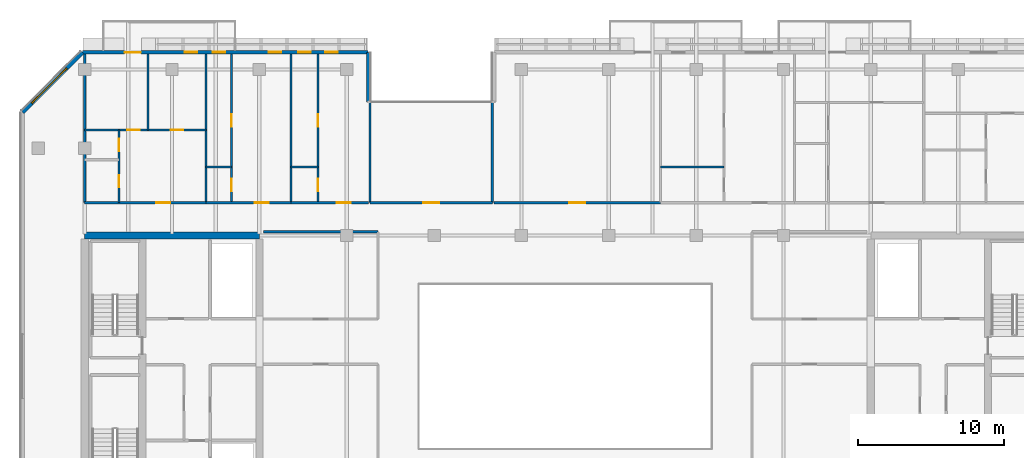
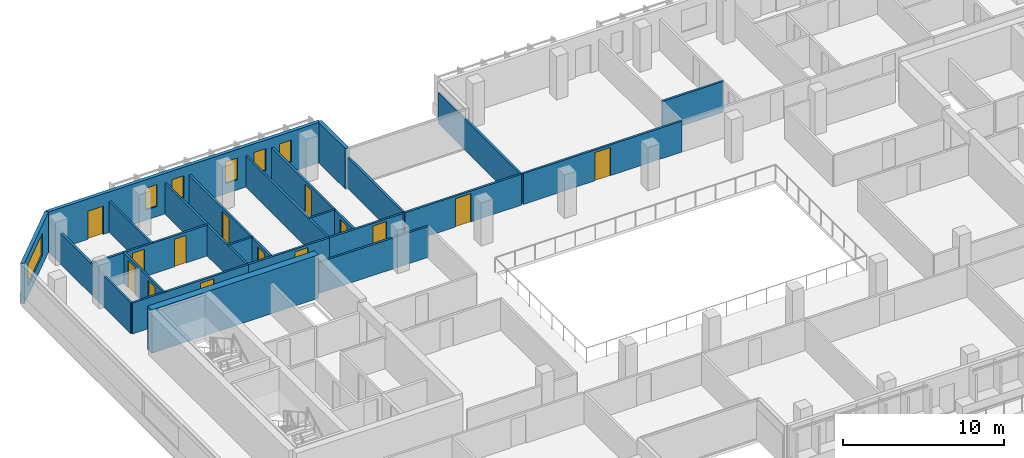
# One storey, part 11 of 19: 23 walls, 14 doors, 6 windows, 20 openings.
"""IFC4 building model written with IfcOpenShell, lengths in metres."""

from ifc_helpers import new_model, si_unit, direction, frame, frame_2d, origin, place, context, subcontext, project, spatial, rectangle, extrude, material, layer, layer_set, type_object, element, fill, save


model = new_model("IFC4")

# Units and contexts
model_context = context("Model", 3, precision=1e-05, world=origin(), true_north=direction((0.0, 1.0)))
body_context = subcontext(model_context, "Body", "Model", "MODEL_VIEW")
ifc_project = project(units=[si_unit("LENGTHUNIT", "METRE"), si_unit("AREAUNIT", "SQUARE_METRE"), si_unit("VOLUMEUNIT", "CUBIC_METRE"), si_unit("PLANEANGLEUNIT", "RADIAN"), si_unit("MASSUNIT", "GRAM", prefix="KILO")], contexts=[model_context])

# Site, building, storey
site_placement = place(None, origin())
site = spatial("IfcSite", under=ifc_project, at=site_placement, CompositionType="ELEMENT")
building_placement = place(site_placement, origin())
building = spatial("IfcBuilding", under=site, at=building_placement, Name="Tanjung Sevakor Pilgrim Tower", CompositionType="ELEMENT")
storey_placement = place(building_placement, frame((0.0, 0.0, 155.10009765625)))
storey = spatial("IfcBuildingStorey", under=building, at=storey_placement, Name="L43", CompositionType="ELEMENT", Elevation=155.10009765625)

# Walls
ifc_material_1 = material(Name="Concrete C60/75", Category="concrete")
ifc_layer_1 = layer(ifc_material_1, 0.5)
ifc_layer_set_1 = layer_set([ifc_layer_1], Name="WALL-CW-500")
wall_type_1 = type_object("IfcWallType", Name="WALL-CW-500", PredefinedType="SHEAR", material=ifc_layer_set_1)
wall_1_placement = place(storey_placement, frame((36.0, 42.60009765625, 0.0), z_axis=(0.0, 0.0, 1.0), x_axis=(-1.0, 0.0, 0.0)))
element("IfcWall", 1, at=wall_1_placement, inside=storey, type_object=wall_type_1, Name="L43 W Core North Shear Wall", PredefinedType="SHEAR", context=body_context, shape_type="SweptSolid", body=[
    extrude(rectangle(XDim=12.0, YDim=0.5, at=frame_2d((6.0, 0.0))), origin(), (0.0, 0.0, 1.0), 3.2998046875),
])
ifc_material_2 = material(Name="Concrete C40/50", Category="concrete")
ifc_layer_2 = layer(ifc_material_2, 0.14990234375)
ifc_layer_set_2 = layer_set([ifc_layer_2], Name="WT-COMP-150")
wall_type_2 = type_object("IfcWallType", Name="WT-COMP-150", PredefinedType="SOLIDWALL", material=ifc_layer_set_2)
wall_2_placement = place(storey_placement, frame((36.27001953125, 42.85009765625, 0.0), z_axis=(0.0, 0.0, 1.0), x_axis=(1.0, 0.0, 0.0)))
element("IfcWall", 2, at=wall_2_placement, inside=storey, type_object=wall_type_2, Name="L43 Partition IW-L43-023", PredefinedType="SOLIDWALL", context=body_context, shape_type="SweptSolid", body=[
    extrude(rectangle(XDim=7.8798828125, YDim=0.14990234375, at=frame_2d((3.93994140625, 0.0))), origin(), (0.0, 0.0, 1.0), 2.35009765625),
])

# Wall, opening, door
wall_3_placement = place(storey_placement, frame((43.60009765625, 44.85009765625, 0.0), z_axis=(0.0, 0.0, 1.0), x_axis=(1.0, 0.0, 0.0)))
wall_3 = element("IfcWall", 3, at=wall_3_placement, inside=storey, type_object=wall_type_2, Name="L43 Partition IW-L43-034", PredefinedType="SOLIDWALL", context=body_context, shape_type="SweptSolid", body=[
    extrude(rectangle(XDim=8.39990234375, YDim=0.14990234375, at=frame_2d((4.199951171875, 0.0))), origin(), (0.0, 0.0, 1.0), 2.35009765625),
])
opening_1_placement = place(wall_3_placement, frame((3.64990234375, 0.0, 0.0)))
opening_1 = element("IfcOpeningElement", 4, at=opening_1_placement, cuts=wall_3, Name="Opening ID-RM2", PredefinedType="OPENING", context=body_context, shape_type="SweptSolid", body=[
    extrude(rectangle(XDim=1.10009765625, YDim=2.14990234375, at=frame_2d((0.550048828125, 1.074951171875))), frame((0.0, 0.0849609375, 0.0), z_axis=(0.0, -1.0, 0.0), x_axis=(1.0, 0.0, 0.0)), (0.0, 0.0, 1.0), 0.169921875),
])
ifc_material_3 = material(Name="Hardwood Timber", Category="wood")
door_type_1 = type_object("IfcDoorType", Name="DT-INT-1100", OperationType="NOTDEFINED", PredefinedType="DOOR", material=ifc_material_3)
door_1_placement = place(opening_1_placement, origin())
door_1 = element("IfcDoor", 5, at=door_1_placement, inside=storey, type_object=door_type_1, Name="L43 North Cleft Prayer Room Door", OperationType="SINGLE_SWING_LEFT", OverallHeight=2.14990234375, OverallWidth=1.10009765625, PredefinedType="DOOR", context=body_context, shape_type="SweptSolid", body=[
    extrude(rectangle(XDim=1.10009765625, YDim=2.14990234375, at=frame_2d((0.550048828125, 1.074951171875))), frame((0.0, 0.02490234375, 0.0), z_axis=(0.0, -1.0, 0.0), x_axis=(1.0, 0.0, 0.0)), (0.0, 0.0, 1.0), 0.050048828125),
])
fill(opening_1, door_1)

# Walls
for number, where, z_axis, x_axis, name in (
    (6, (43.60009765625, 44.85009765625, 0.0), (0.0, 0.0, 1.0), (0.0, 1.0, 0.0), "L43 Partition IW-L43-035"),
    (7, (52.0, 44.85009765625, 0.0), (0.0, 0.0, 1.0), (0.0, 1.0, 0.0), "L43 Partition IW-L43-036"),
    (8, (24.0, 44.85009765625, 0.0), (0.0, 0.0, 1.0), (0.0, 1.0, 0.0), "L43 Partition IW-L43-053"),
    (9, (32.341796875, 44.85009765625, 0.0), (0.0, 0.0, 1.0), (0.0, 1.0, 0.0), "L43 Partition IW-L43-054"),
):
    element("IfcWall", number, at=place(storey_placement, frame(where, z_axis=z_axis, x_axis=x_axis)), inside=storey, type_object=wall_type_2, Name=name, PredefinedType="SOLIDWALL", context=body_context, shape_type="SweptSolid", body=[
        extrude(rectangle(XDim=10.199951171875, YDim=0.14990234375, at=frame_2d((5.10009765625, 0.0))), origin(), (0.0, 0.0, 1.0), 2.35009765625),
    ])

# Wall, opening, door
wall_4_placement = place(storey_placement, frame((24.0, 44.85009765625, 0.0), z_axis=(0.0, 0.0, 1.0), x_axis=(1.0, 0.0, 0.0)))
wall_4 = element("IfcWall", 10, at=wall_4_placement, inside=storey, type_object=wall_type_2, Name="L43 Partition IW-L43-059", PredefinedType="SOLIDWALL", context=body_context, shape_type="SweptSolid", body=[
    extrude(rectangle(XDim=8.341796875, YDim=0.14990234375, at=frame_2d((4.1708984375, 0.0))), origin(), (0.0, 0.0, 1.0), 2.35009765625),
])
opening_2_placement = place(wall_4_placement, frame((4.910888671875, 0.0, 0.0)))
opening_2 = element("IfcOpeningElement", 11, at=opening_2_placement, cuts=wall_4, Name="Opening ID-FD2", PredefinedType="OPENING", context=body_context, shape_type="SweptSolid", body=[
    extrude(rectangle(XDim=0.949951171875, YDim=2.14990234375, at=frame_2d((0.47509765625, 1.074951171875))), frame((0.0, 0.0849609375, 0.0), z_axis=(0.0, -1.0, 0.0), x_axis=(1.0, 0.0, 0.0)), (0.0, 0.0, 1.0), 0.169921875),
])
ifc_material_4 = material(Name="Fire-Rated Timber", Category="wood")
door_type_2 = type_object("IfcDoorType", Name="DT-FIRE-950", OperationType="NOTDEFINED", PredefinedType="DOOR", material=ifc_material_4)
door_2_placement = place(opening_2_placement, origin())
door_2 = element("IfcDoor", 12, at=door_2_placement, inside=storey, type_object=door_type_2, Name="Suite Entrance", OperationType="SINGLE_SWING_RIGHT", OverallHeight=2.14990234375, OverallWidth=0.949951171875, PredefinedType="DOOR", context=body_context, shape_type="SweptSolid", body=[
    extrude(rectangle(XDim=0.949951171875, YDim=2.14990234375, at=frame_2d((0.47509765625, 1.074951171875))), frame((0.0, 0.02490234375, 0.0), z_axis=(0.0, -1.0, 0.0), x_axis=(1.0, 0.0, 0.0)), (0.0, 0.0, 1.0), 0.050048828125),
])
fill(opening_2, door_2)

# Wall
wall_5_placement = place(storey_placement, frame((38.171630859375, 44.85009765625, 0.0), z_axis=(0.0, 0.0, 1.0), x_axis=(0.0, 1.0, 0.0)))
element("IfcWall", 13, at=wall_5_placement, inside=storey, type_object=wall_type_2, Name="L43 Partition IW-L43-060", PredefinedType="SOLIDWALL", context=body_context, shape_type="SweptSolid", body=[
    extrude(rectangle(XDim=10.199951171875, YDim=0.14990234375, at=frame_2d((5.10009765625, 0.0))), origin(), (0.0, 0.0, 1.0), 2.35009765625),
])

# Wall, opening, door
wall_6_placement = place(storey_placement, frame((32.341796875, 44.85009765625, 0.0), z_axis=(0.0, 0.0, 1.0), x_axis=(1.0, 0.0, 0.0)))
wall_6 = element("IfcWall", 14, at=wall_6_placement, inside=storey, type_object=wall_type_2, Name="L43 Partition IW-L43-063", PredefinedType="SOLIDWALL", context=body_context, shape_type="SweptSolid", body=[
    extrude(rectangle(XDim=5.829833984375, YDim=0.14990234375, at=frame_2d((2.9150390625, 0.0))), origin(), (0.0, 0.0, 1.0), 2.35009765625),
])
opening_3_placement = place(wall_6_placement, frame((3.34912109375, 0.0, 0.0)))
opening_3 = element("IfcOpeningElement", 15, at=opening_3_placement, cuts=wall_6, Name="Opening ID-FD2", PredefinedType="OPENING", context=body_context, shape_type="SweptSolid", body=[
    extrude(rectangle(XDim=0.949951171875, YDim=2.14990234375, at=frame_2d((0.47509765625, 1.074951171875))), frame((0.0, 0.0849609375, 0.0), z_axis=(0.0, -1.0, 0.0), x_axis=(1.0, 0.0, 0.0)), (0.0, 0.0, 1.0), 0.169921875),
])
door_3_placement = place(opening_3_placement, origin())
door_3 = element("IfcDoor", 16, at=door_3_placement, inside=storey, type_object=door_type_2, Name="Hostel Quad Entrance", OperationType="SINGLE_SWING_LEFT", OverallHeight=2.14990234375, OverallWidth=0.949951171875, PredefinedType="DOOR", context=body_context, shape_type="SweptSolid", body=[
    extrude(rectangle(XDim=0.949951171875, YDim=2.14990234375, at=frame_2d((0.47509765625, 1.074951171875))), frame((0.0, 0.02490234375, 0.0), z_axis=(0.0, -1.0, 0.0), x_axis=(1.0, 0.0, 0.0)), (0.0, 0.0, 1.0), 0.050048828125),
])
fill(opening_3, door_3)

wall_7_placement = place(storey_placement, frame((38.171630859375, 44.85009765625, 0.0), z_axis=(0.0, 0.0, 1.0), x_axis=(1.0, 0.0, 0.0)))
wall_7 = element("IfcWall", 17, at=wall_7_placement, inside=storey, type_object=wall_type_2, Name="L43 Partition IW-L43-066", PredefinedType="SOLIDWALL", context=body_context, shape_type="SweptSolid", body=[
    extrude(rectangle(XDim=5.308349609375, YDim=0.14990234375, at=frame_2d((2.654296875, 0.0))), origin(), (0.0, 0.0, 1.0), 2.35009765625),
])
opening_4_placement = place(wall_7_placement, frame((3.144287109375, 0.0, 0.0)))
opening_4 = element("IfcOpeningElement", 18, at=opening_4_placement, cuts=wall_7, Name="Opening ID-FD2", PredefinedType="OPENING", context=body_context, shape_type="SweptSolid", body=[
    extrude(rectangle(XDim=0.949951171875, YDim=2.14990234375, at=frame_2d((0.47509765625, 1.074951171875))), frame((0.0, 0.0849609375, 0.0), z_axis=(0.0, -1.0, 0.0), x_axis=(1.0, 0.0, 0.0)), (0.0, 0.0, 1.0), 0.169921875),
])
door_4_placement = place(opening_4_placement, origin())
door_4 = element("IfcDoor", 19, at=door_4_placement, inside=storey, type_object=door_type_2, Name="Hostel Quad Entrance", OperationType="SINGLE_SWING_RIGHT", OverallHeight=2.14990234375, OverallWidth=0.949951171875, PredefinedType="DOOR", context=body_context, shape_type="SweptSolid", body=[
    extrude(rectangle(XDim=0.949951171875, YDim=2.14990234375, at=frame_2d((0.47509765625, 1.074951171875))), frame((0.0, 0.02490234375, 0.0), z_axis=(0.0, -1.0, 0.0), x_axis=(1.0, 0.0, 0.0)), (0.0, 0.0, 1.0), 0.050048828125),
])
fill(opening_4, door_4)

wall_8_placement = place(storey_placement, frame((52.1201171875, 44.85009765625, 0.0), z_axis=(0.0, 0.0, 1.0), x_axis=(1.0, 0.0, 0.0)))
wall_8 = element("IfcWall", 20, at=wall_8_placement, inside=storey, type_object=wall_type_2, Name="L43 Partition IW-L43-069", PredefinedType="SOLIDWALL", context=body_context, shape_type="SweptSolid", body=[
    extrude(rectangle(XDim=11.42529296875, YDim=0.14990234375, at=frame_2d((5.712646484375, 0.0))), origin(), (0.0, 0.0, 1.0), 2.35009765625),
])
opening_5_placement = place(wall_8_placement, frame((5.16259765625, 0.0, 0.0)))
opening_5 = element("IfcOpeningElement", 21, at=opening_5_placement, cuts=wall_8, Name="Opening ID-FD0", PredefinedType="OPENING", context=body_context, shape_type="SweptSolid", body=[
    extrude(rectangle(XDim=1.10009765625, YDim=2.14990234375, at=frame_2d((0.550048828125, 1.074951171875))), frame((0.0, 0.0849609375, 0.0), z_axis=(0.0, -1.0, 0.0), x_axis=(1.0, 0.0, 0.0)), (0.0, 0.0, 1.0), 0.169921875),
])
ifc_material_5 = material(Name="Fire-Rated Steel S355J2", Category="steel")
door_type_3 = type_object("IfcDoorType", Name="DT-FIRE-1100", OperationType="NOTDEFINED", PredefinedType="DOOR", material=ifc_material_5)
door_5_placement = place(opening_5_placement, origin())
door_5 = element("IfcDoor", 22, at=door_5_placement, inside=storey, type_object=door_type_3, Name="Council Room Door", OperationType="SINGLE_SWING_LEFT", OverallHeight=2.14990234375, OverallWidth=1.10009765625, PredefinedType="DOOR", context=body_context, shape_type="SweptSolid", body=[
    extrude(rectangle(XDim=1.10009765625, YDim=2.14990234375, at=frame_2d((0.550048828125, 1.074951171875))), frame((0.0, 0.02490234375, 0.0), z_axis=(0.0, -1.0, 0.0), x_axis=(1.0, 0.0, 0.0)), (0.0, 0.0, 1.0), 0.050048828125),
])
fill(opening_5, door_5)

# Wall
ifc_material_6 = material(Name="Precast concrete C45/55", Category="concrete")
ifc_layer_3 = layer(ifc_material_6, 0.25)
ifc_layer_set_3 = layer_set([ifc_layer_3], Name="WT-EW-STN3")
wall_type_3 = type_object("IfcWallType", Name="WT-EW-STN3", PredefinedType="SOLIDWALL", material=ifc_layer_set_3)
wall_9_placement = place(storey_placement, frame((43.47509765625, 51.77490234375, 0.0), z_axis=(0.0, 0.0, 1.0), x_axis=(0.0, 1.0, 0.0)))
element("IfcWall", 23, at=wall_9_placement, inside=storey, type_object=wall_type_3, Name="L43 MAIN Exterior Wall 12", PredefinedType="SOLIDWALL", context=body_context, shape_type="SweptSolid", body=[
    extrude(rectangle(XDim=3.400146484375, YDim=0.25, at=frame_2d((1.7001953125, 0.0))), origin(), (0.0, 0.0, 1.0), 3.080078125),
])

# Wall, openings, door, windows
wall_10_placement = place(storey_placement, frame((43.47509765625, 55.175048828125, 0.0), z_axis=(0.0, 0.0, 1.0), x_axis=(-1.0, 0.0, 0.0)))
wall_10 = element("IfcWall", 24, at=wall_10_placement, inside=storey, type_object=wall_type_3, Name="L43 MAIN Exterior Wall 13", PredefinedType="SOLIDWALL", context=body_context, shape_type="SweptSolid", body=[
    extrude(rectangle(XDim=19.623291015625, YDim=0.25, at=frame_2d((9.8115234375, 0.0))), origin(), (0.0, 0.0, 1.0), 3.080078125),
])
opening_6_placement = place(wall_10_placement, frame((15.625, 0.0, 0.0)))
opening_6 = element("IfcOpeningElement", 25, at=opening_6_placement, cuts=wall_10, Name="Opening ED-BAL-1100", PredefinedType="OPENING", context=body_context, shape_type="SweptSolid", body=[
    extrude(rectangle(XDim=1.10009765625, YDim=2.14990234375, at=frame_2d((0.550048828125, 1.074951171875))), frame((0.0, 0.135009765625, 0.0), z_axis=(0.0, -1.0, 0.0), x_axis=(1.0, 0.0, 0.0)), (0.0, 0.0, 1.0), 0.27001953125),
])
opening_7_placement = place(wall_10_placement, frame((11.76025390625, 0.0, 0.780029296875)))
opening_7 = element("IfcOpeningElement", 26, at=opening_7_placement, cuts=wall_10, Name="Opening WN-SLM", PredefinedType="OPENING", context=body_context, shape_type="SweptSolid", body=[
    extrude(rectangle(XDim=0.85009765625, YDim=1.64990234375, at=frame_2d((0.425048828125, 0.824951171875))), frame((0.0, 0.135009765625, 0.0), z_axis=(0.0, -1.0, 0.0), x_axis=(1.0, 0.0, 0.0)), (0.0, 0.0, 1.0), 0.27001953125),
])
opening_8_placement = place(wall_10_placement, frame((9.8291015625, 0.0, 0.780029296875)))
opening_8 = element("IfcOpeningElement", 27, at=opening_8_placement, cuts=wall_10, Name="Opening WN-SLM", PredefinedType="OPENING", context=body_context, shape_type="SweptSolid", body=[
    extrude(rectangle(XDim=0.85009765625, YDim=1.64990234375, at=frame_2d((0.425048828125, 0.824951171875))), frame((0.0, 0.135009765625, 0.0), z_axis=(0.0, -1.0, 0.0), x_axis=(1.0, 0.0, 0.0)), (0.0, 0.0, 1.0), 0.27001953125),
])
opening_9_placement = place(wall_10_placement, frame((5.97412109375, 0.0, 0.780029296875)))
opening_9 = element("IfcOpeningElement", 28, at=opening_9_placement, cuts=wall_10, Name="Opening WN-SLM", PredefinedType="OPENING", context=body_context, shape_type="SweptSolid", body=[
    extrude(rectangle(XDim=0.85009765625, YDim=1.64990234375, at=frame_2d((0.425048828125, 0.824951171875))), frame((0.0, 0.135009765625, 0.0), z_axis=(0.0, -1.0, 0.0), x_axis=(1.0, 0.0, 0.0)), (0.0, 0.0, 1.0), 0.27001953125),
])
opening_10_placement = place(wall_10_placement, frame((3.943359375, 0.0, 0.780029296875)))
opening_10 = element("IfcOpeningElement", 29, at=opening_10_placement, cuts=wall_10, Name="Opening WN-SLM", PredefinedType="OPENING", context=body_context, shape_type="SweptSolid", body=[
    extrude(rectangle(XDim=0.85009765625, YDim=1.64990234375, at=frame_2d((0.425048828125, 0.824951171875))), frame((0.0, 0.135009765625, 0.0), z_axis=(0.0, -1.0, 0.0), x_axis=(1.0, 0.0, 0.0)), (0.0, 0.0, 1.0), 0.27001953125),
])
opening_11_placement = place(wall_10_placement, frame((2.109130859375, 0.0, 0.780029296875)))
opening_11 = element("IfcOpeningElement", 30, at=opening_11_placement, cuts=wall_10, Name="Opening WN-SLM", PredefinedType="OPENING", context=body_context, shape_type="SweptSolid", body=[
    extrude(rectangle(XDim=0.85009765625, YDim=1.64990234375, at=frame_2d((0.425048828125, 0.824951171875))), frame((0.0, 0.135009765625, 0.0), z_axis=(0.0, -1.0, 0.0), x_axis=(1.0, 0.0, 0.0)), (0.0, 0.0, 1.0), 0.27001953125),
])
ifc_material_7 = material(Name="Anodised Aluminium and Laminated Glass", Category="aluminium")
door_type_4 = type_object("IfcDoorType", Name="DTYP-ED-BAL-1100", OperationType="NOTDEFINED", PredefinedType="DOOR", material=ifc_material_7)
door_6_placement = place(opening_6_placement, frame((1.10009765625, 0.0, 0.0), z_axis=(0.0, 0.0, 1.0), x_axis=(-1.0, 0.0, 0.0)))
door_6 = element("IfcDoor", 31, at=door_6_placement, inside=storey, type_object=door_type_4, Name="L43 Balcony Door MAIN-N1", OperationType="SINGLE_SWING_LEFT", OverallHeight=2.14990234375, OverallWidth=1.10009765625, PredefinedType="DOOR", context=body_context, shape_type="SweptSolid", body=[
    extrude(rectangle(XDim=1.10009765625, YDim=2.14990234375, at=frame_2d((0.550048828125, 1.074951171875))), frame((0.0, 0.02490234375, 0.0), z_axis=(0.0, -1.0, 0.0), x_axis=(1.0, 0.0, 0.0)), (0.0, 0.0, 1.0), 0.050048828125),
])
fill(opening_6, door_6)
ifc_material_8 = material(Name="Thermally Broken Aluminium and Low-E Glass", Category="aluminium")
window_type_1 = type_object("IfcWindowType", Name="WTYP-WN-SLM", PartitioningType="SINGLE_PANEL", PredefinedType="WINDOW", material=ifc_material_8)
window_1_placement = place(opening_7_placement, origin())
window_1 = element("IfcWindow", 32, at=window_1_placement, inside=storey, type_object=window_type_1, Name="L43 Facade Window 01", OverallHeight=1.64990234375, OverallWidth=0.85009765625, PartitioningType="SINGLE_PANEL", PredefinedType="WINDOW", context=body_context, shape_type="SweptSolid", body=[
    extrude(rectangle(XDim=0.85009765625, YDim=1.64990234375, at=frame_2d((0.425048828125, 0.824951171875))), frame((0.0, 0.030029296875, 0.0), z_axis=(0.0, -1.0, 0.0), x_axis=(1.0, 0.0, 0.0)), (0.0, 0.0, 1.0), 0.06005859375),
])
fill(opening_7, window_1)
window_2_placement = place(opening_8_placement, origin())
window_2 = element("IfcWindow", 33, at=window_2_placement, inside=storey, type_object=window_type_1, Name="L43 Facade Window 02", OverallHeight=1.64990234375, OverallWidth=0.85009765625, PartitioningType="SINGLE_PANEL", PredefinedType="WINDOW", context=body_context, shape_type="SweptSolid", body=[
    extrude(rectangle(XDim=0.85009765625, YDim=1.64990234375, at=frame_2d((0.425048828125, 0.824951171875))), frame((0.0, 0.030029296875, 0.0), z_axis=(0.0, -1.0, 0.0), x_axis=(1.0, 0.0, 0.0)), (0.0, 0.0, 1.0), 0.06005859375),
])
fill(opening_8, window_2)
window_3_placement = place(opening_9_placement, origin())
window_3 = element("IfcWindow", 34, at=window_3_placement, inside=storey, type_object=window_type_1, Name="L43 Facade Window 03", OverallHeight=1.64990234375, OverallWidth=0.85009765625, PartitioningType="SINGLE_PANEL", PredefinedType="WINDOW", context=body_context, shape_type="SweptSolid", body=[
    extrude(rectangle(XDim=0.85009765625, YDim=1.64990234375, at=frame_2d((0.425048828125, 0.824951171875))), frame((0.0, 0.030029296875, 0.0), z_axis=(0.0, -1.0, 0.0), x_axis=(1.0, 0.0, 0.0)), (0.0, 0.0, 1.0), 0.06005859375),
])
fill(opening_9, window_3)
window_4_placement = place(opening_10_placement, origin())
window_4 = element("IfcWindow", 35, at=window_4_placement, inside=storey, type_object=window_type_1, Name="L43 Facade Window 04", OverallHeight=1.64990234375, OverallWidth=0.85009765625, PartitioningType="SINGLE_PANEL", PredefinedType="WINDOW", context=body_context, shape_type="SweptSolid", body=[
    extrude(rectangle(XDim=0.85009765625, YDim=1.64990234375, at=frame_2d((0.425048828125, 0.824951171875))), frame((0.0, 0.030029296875, 0.0), z_axis=(0.0, -1.0, 0.0), x_axis=(1.0, 0.0, 0.0)), (0.0, 0.0, 1.0), 0.06005859375),
])
fill(opening_10, window_4)
window_5_placement = place(opening_11_placement, origin())
window_5 = element("IfcWindow", 36, at=window_5_placement, inside=storey, type_object=window_type_1, Name="L43 Facade Window 05", OverallHeight=1.64990234375, OverallWidth=0.85009765625, PartitioningType="SINGLE_PANEL", PredefinedType="WINDOW", context=body_context, shape_type="SweptSolid", body=[
    extrude(rectangle(XDim=0.85009765625, YDim=1.64990234375, at=frame_2d((0.425048828125, 0.824951171875))), frame((0.0, 0.030029296875, 0.0), z_axis=(0.0, -1.0, 0.0), x_axis=(1.0, 0.0, 0.0)), (0.0, 0.0, 1.0), 0.06005859375),
])
fill(opening_11, window_5)

# Wall, opening, window
wall_11_placement = place(storey_placement, frame((23.851806640625, 55.175048828125, 0.0), z_axis=(0.0, 0.0, 1.0), x_axis=(-0.70708586489, -0.707127696864, 0.0)))
wall_11 = element("IfcWall", 37, at=wall_11_placement, inside=storey, type_object=wall_type_3, Name="L43 MAIN Sculpted Corner Wall 13", PredefinedType="SOLIDWALL", context=body_context, shape_type="SweptSolid", body=[
    extrude(rectangle(XDim=5.836181640625, YDim=0.25, at=frame_2d((2.91796875, 0.0))), origin(), (0.0, 0.0, 1.0), 3.080078125),
])
opening_12_placement = place(wall_11_placement, frame((1.5380859375, 0.0, 0.780029296875)))
opening_12 = element("IfcOpeningElement", 38, at=opening_12_placement, cuts=wall_11, Name="Opening WN-CHM-1660", PredefinedType="OPENING", context=body_context, shape_type="SweptSolid", body=[
    extrude(rectangle(XDim=3.39990234375, YDim=1.659912109375, at=frame_2d((1.699951171875, 0.830078125))), frame((0.0, 0.135009765625, 0.0), z_axis=(0.0, -1.0, 0.0), x_axis=(1.0, 0.0, 0.0)), (0.0, 0.0, 1.0), 0.27001953125),
])
ifc_material_9 = material(Name="Thermally Broken Aluminium and Low-E Glass", Category="aluminium")
window_type_2 = type_object("IfcWindowType", Name="WTYP-WN-CHM-1660", PartitioningType="DOUBLE_PANEL_VERTICAL", PredefinedType="WINDOW", material=ifc_material_9)
window_6_placement = place(opening_12_placement, origin())
window_6 = element("IfcWindow", 39, at=window_6_placement, inside=storey, type_object=window_type_2, Name="L43 Facade Window 01", OverallHeight=1.659912109375, OverallWidth=3.39990234375, PartitioningType="SINGLE_PANEL", PredefinedType="WINDOW", context=body_context, shape_type="SweptSolid", body=[
    extrude(rectangle(XDim=3.39990234375, YDim=1.659912109375, at=frame_2d((1.699951171875, 0.830078125))), frame((0.0, 0.030029296875, 0.0), z_axis=(0.0, -1.0, 0.0), x_axis=(1.0, 0.0, 0.0)), (0.0, 0.0, 1.0), 0.06005859375),
])
fill(opening_12, window_6)

# Wall, openings, doors
ifc_material_10 = material(Name="Gypsum Board Partition", Category="gypsum board")
ifc_layer_4 = layer(ifc_material_10, 0.14990234375)
ifc_layer_set_4 = layer_set([ifc_layer_4], Name="WT-PART-150")
wall_type_4 = type_object("IfcWallType", Name="WT-PART-150", PredefinedType="PARTITIONING", material=ifc_layer_set_4)
wall_12_placement = place(storey_placement, frame((26.35009765625, 44.85009765625, 0.0), z_axis=(0.0, 0.0, 1.0), x_axis=(0.0, 1.0, 0.0)))
wall_12 = element("IfcWall", 40, at=wall_12_placement, inside=storey, type_object=wall_type_4, Name="L43 Partition IW-L43-056", PredefinedType="PARTITIONING", context=body_context, shape_type="SweptSolid", body=[
    extrude(rectangle(XDim=5.0, YDim=0.14990234375, at=frame_2d((2.5, 0.0))), origin(), (0.0, 0.0, 1.0), 2.35009765625),
])
opening_13_placement = place(wall_12_placement, frame((1.050048828125, 0.0, 0.0)))
opening_13 = element("IfcOpeningElement", 41, at=opening_13_placement, cuts=wall_12, Name="Opening ID-WC1", PredefinedType="OPENING", context=body_context, shape_type="SweptSolid", body=[
    extrude(rectangle(XDim=0.85009765625, YDim=2.10009765625, at=frame_2d((0.425048828125, 1.050048828125))), frame((0.0, 0.0849609375, 0.0), z_axis=(0.0, -1.0, 0.0), x_axis=(1.0, 0.0, 0.0)), (0.0, 0.0, 1.0), 0.169921875),
])
opening_14_placement = place(wall_12_placement, frame((3.550048828125, 0.0, 0.0)))
opening_14 = element("IfcOpeningElement", 42, at=opening_14_placement, cuts=wall_12, Name="Opening ID-WC1", PredefinedType="OPENING", context=body_context, shape_type="SweptSolid", body=[
    extrude(rectangle(XDim=0.85009765625, YDim=2.10009765625, at=frame_2d((0.425048828125, 1.050048828125))), frame((0.0, 0.0849609375, 0.0), z_axis=(0.0, -1.0, 0.0), x_axis=(1.0, 0.0, 0.0)), (0.0, 0.0, 1.0), 0.169921875),
])
ifc_material_11 = material(Name="Moisture-Resistant Timber", Category="wood")
door_type_5 = type_object("IfcDoorType", Name="DT-INT-850", OperationType="NOTDEFINED", PredefinedType="DOOR", material=ifc_material_11)
door_7_placement = place(opening_13_placement, origin())
door_7 = element("IfcDoor", 43, at=door_7_placement, inside=storey, type_object=door_type_5, Name="Suite Kitchenette Door", OperationType="SINGLE_SWING_RIGHT", OverallHeight=2.10009765625, OverallWidth=0.85009765625, PredefinedType="DOOR", context=body_context, shape_type="SweptSolid", body=[
    extrude(rectangle(XDim=0.85009765625, YDim=2.10009765625, at=frame_2d((0.425048828125, 1.050048828125))), frame((0.0, 0.02490234375, 0.0), z_axis=(0.0, -1.0, 0.0), x_axis=(1.0, 0.0, 0.0)), (0.0, 0.0, 1.0), 0.050048828125),
])
fill(opening_13, door_7)
door_8_placement = place(opening_14_placement, origin())
door_8 = element("IfcDoor", 44, at=door_8_placement, inside=storey, type_object=door_type_5, Name="Suite Bathroom Door", OperationType="SINGLE_SWING_LEFT", OverallHeight=2.10009765625, OverallWidth=0.85009765625, PredefinedType="DOOR", context=body_context, shape_type="SweptSolid", body=[
    extrude(rectangle(XDim=0.85009765625, YDim=2.10009765625, at=frame_2d((0.425048828125, 1.050048828125))), frame((0.0, 0.02490234375, 0.0), z_axis=(0.0, -1.0, 0.0), x_axis=(1.0, 0.0, 0.0)), (0.0, 0.0, 1.0), 0.050048828125),
])
fill(opening_14, door_8)

# Wall
wall_13_placement = place(storey_placement, frame((28.337646484375, 49.85009765625, 0.0), z_axis=(0.0, 0.0, 1.0), x_axis=(0.0, 1.0, 0.0)))
element("IfcWall", 45, at=wall_13_placement, inside=storey, type_object=wall_type_4, Name="L43 Partition IW-L43-057", PredefinedType="PARTITIONING", context=body_context, shape_type="SweptSolid", body=[
    extrude(rectangle(XDim=5.199951171875, YDim=0.14990234375, at=frame_2d((2.60009765625, 0.0))), origin(), (0.0, 0.0, 1.0), 2.35009765625),
])

# Wall, openings, doors
wall_14_placement = place(storey_placement, frame((24.0, 49.85009765625, 0.0), z_axis=(0.0, 0.0, 1.0), x_axis=(1.0, 0.0, 0.0)))
wall_14 = element("IfcWall", 46, at=wall_14_placement, inside=storey, type_object=wall_type_4, Name="L43 Partition IW-L43-058", PredefinedType="PARTITIONING", context=body_context, shape_type="SweptSolid", body=[
    extrude(rectangle(XDim=8.341796875, YDim=0.14990234375, at=frame_2d((4.1708984375, 0.0))), origin(), (0.0, 0.0, 1.0), 2.35009765625),
])
opening_15_placement = place(wall_14_placement, frame((2.9189453125, 0.0, 0.0)))
opening_15 = element("IfcOpeningElement", 47, at=opening_15_placement, cuts=wall_14, Name="Opening ID-WC1", PredefinedType="OPENING", context=body_context, shape_type="SweptSolid", body=[
    extrude(rectangle(XDim=0.85009765625, YDim=2.10009765625, at=frame_2d((0.425048828125, 1.050048828125))), frame((0.0, 0.0849609375, 0.0), z_axis=(0.0, -1.0, 0.0), x_axis=(1.0, 0.0, 0.0)), (0.0, 0.0, 1.0), 0.169921875),
])
opening_16_placement = place(wall_14_placement, frame((5.914794921875, 0.0, 0.0)))
opening_16 = element("IfcOpeningElement", 48, at=opening_16_placement, cuts=wall_14, Name="Opening ID-WC1", PredefinedType="OPENING", context=body_context, shape_type="SweptSolid", body=[
    extrude(rectangle(XDim=0.85009765625, YDim=2.10009765625, at=frame_2d((0.425048828125, 1.050048828125))), frame((0.0, 0.0849609375, 0.0), z_axis=(0.0, -1.0, 0.0), x_axis=(1.0, 0.0, 0.0)), (0.0, 0.0, 1.0), 0.169921875),
])
door_9_placement = place(opening_15_placement, origin())
door_9 = element("IfcDoor", 49, at=door_9_placement, inside=storey, type_object=door_type_5, Name="Suite Bedroom 1 Door", OperationType="SINGLE_SWING_RIGHT", OverallHeight=2.10009765625, OverallWidth=0.85009765625, PredefinedType="DOOR", context=body_context, shape_type="SweptSolid", body=[
    extrude(rectangle(XDim=0.85009765625, YDim=2.10009765625, at=frame_2d((0.425048828125, 1.050048828125))), frame((0.0, 0.02490234375, 0.0), z_axis=(0.0, -1.0, 0.0), x_axis=(1.0, 0.0, 0.0)), (0.0, 0.0, 1.0), 0.050048828125),
])
fill(opening_15, door_9)
door_10_placement = place(opening_16_placement, origin())
door_10 = element("IfcDoor", 50, at=door_10_placement, inside=storey, type_object=door_type_5, Name="Suite Bedroom 2 Door", OperationType="SINGLE_SWING_LEFT", OverallHeight=2.10009765625, OverallWidth=0.85009765625, PredefinedType="DOOR", context=body_context, shape_type="SweptSolid", body=[
    extrude(rectangle(XDim=0.85009765625, YDim=2.10009765625, at=frame_2d((0.425048828125, 1.050048828125))), frame((0.0, 0.02490234375, 0.0), z_axis=(0.0, -1.0, 0.0), x_axis=(1.0, 0.0, 0.0)), (0.0, 0.0, 1.0), 0.050048828125),
])
fill(opening_16, door_10)

# Wall
wall_15_placement = place(storey_placement, frame((32.341796875, 47.300048828125, 0.0), z_axis=(0.0, 0.0, 1.0), x_axis=(1.0, 0.0, 0.0)))
element("IfcWall", 51, at=wall_15_placement, inside=storey, type_object=wall_type_4, Name="L43 Partition IW-L43-061", PredefinedType="PARTITIONING", context=body_context, shape_type="SweptSolid", body=[
    extrude(rectangle(XDim=1.73828125, YDim=0.14990234375, at=frame_2d((0.869140625, 0.0))), origin(), (0.0, 0.0, 1.0), 2.35009765625),
])

# Wall, openings, doors
wall_16_placement = place(storey_placement, frame((34.080078125, 44.85009765625, 0.0), z_axis=(0.0, 0.0, 1.0), x_axis=(0.0, 1.0, 0.0)))
wall_16 = element("IfcWall", 52, at=wall_16_placement, inside=storey, type_object=wall_type_4, Name="L43 Partition IW-L43-062", PredefinedType="PARTITIONING", context=body_context, shape_type="SweptSolid", body=[
    extrude(rectangle(XDim=10.199951171875, YDim=0.14990234375, at=frame_2d((5.10009765625, 0.0))), origin(), (0.0, 0.0, 1.0), 2.35009765625),
])
opening_17_placement = place(wall_16_placement, frame((0.800048828125, 0.0, 0.0)))
opening_17 = element("IfcOpeningElement", 53, at=opening_17_placement, cuts=wall_16, Name="Opening ID-WC1", PredefinedType="OPENING", context=body_context, shape_type="SweptSolid", body=[
    extrude(rectangle(XDim=0.85009765625, YDim=2.10009765625, at=frame_2d((0.425048828125, 1.050048828125))), frame((0.0, 0.0849609375, 0.0), z_axis=(0.0, -1.0, 0.0), x_axis=(1.0, 0.0, 0.0)), (0.0, 0.0, 1.0), 0.169921875),
])
opening_18_placement = place(wall_16_placement, frame((5.2099609375, 0.0, 0.0)))
opening_18 = element("IfcOpeningElement", 54, at=opening_18_placement, cuts=wall_16, Name="Opening ID-WC1", PredefinedType="OPENING", context=body_context, shape_type="SweptSolid", body=[
    extrude(rectangle(XDim=0.85009765625, YDim=2.10009765625, at=frame_2d((0.425048828125, 1.050048828125))), frame((0.0, 0.0849609375, 0.0), z_axis=(0.0, -1.0, 0.0), x_axis=(1.0, 0.0, 0.0)), (0.0, 0.0, 1.0), 0.169921875),
])
door_11_placement = place(opening_17_placement, origin())
door_11 = element("IfcDoor", 55, at=door_11_placement, inside=storey, type_object=door_type_5, Name="Bathroom Door", OperationType="SINGLE_SWING_LEFT", OverallHeight=2.10009765625, OverallWidth=0.85009765625, PredefinedType="DOOR", context=body_context, shape_type="SweptSolid", body=[
    extrude(rectangle(XDim=0.85009765625, YDim=2.10009765625, at=frame_2d((0.425048828125, 1.050048828125))), frame((0.0, 0.02490234375, 0.0), z_axis=(0.0, -1.0, 0.0), x_axis=(1.0, 0.0, 0.0)), (0.0, 0.0, 1.0), 0.050048828125),
])
fill(opening_17, door_11)
door_12_placement = place(opening_18_placement, origin())
door_12 = element("IfcDoor", 56, at=door_12_placement, inside=storey, type_object=door_type_5, Name="Study Nook Door", OperationType="SINGLE_SWING_RIGHT", OverallHeight=2.10009765625, OverallWidth=0.85009765625, PredefinedType="DOOR", context=body_context, shape_type="SweptSolid", body=[
    extrude(rectangle(XDim=0.85009765625, YDim=2.10009765625, at=frame_2d((0.425048828125, 1.050048828125))), frame((0.0, 0.02490234375, 0.0), z_axis=(0.0, -1.0, 0.0), x_axis=(1.0, 0.0, 0.0)), (0.0, 0.0, 1.0), 0.050048828125),
])
fill(opening_18, door_12)

# Wall
wall_17_placement = place(storey_placement, frame((38.171630859375, 47.300048828125, 0.0), z_axis=(0.0, 0.0, 1.0), x_axis=(1.0, 0.0, 0.0)))
element("IfcWall", 57, at=wall_17_placement, inside=storey, type_object=wall_type_4, Name="L43 Partition IW-L43-064", PredefinedType="PARTITIONING", context=body_context, shape_type="SweptSolid", body=[
    extrude(rectangle(XDim=1.849853515625, YDim=0.14990234375, at=frame_2d((0.9248046875, 0.0))), origin(), (0.0, 0.0, 1.0), 2.35009765625),
])

# Wall, openings, doors
wall_18_placement = place(storey_placement, frame((40.021484375, 44.85009765625, 0.0), z_axis=(0.0, 0.0, 1.0), x_axis=(0.0, 1.0, 0.0)))
wall_18 = element("IfcWall", 58, at=wall_18_placement, inside=storey, type_object=wall_type_4, Name="L43 Partition IW-L43-065", PredefinedType="PARTITIONING", context=body_context, shape_type="SweptSolid", body=[
    extrude(rectangle(XDim=10.199951171875, YDim=0.14990234375, at=frame_2d((5.10009765625, 0.0))), origin(), (0.0, 0.0, 1.0), 2.35009765625),
])
opening_19_placement = place(wall_18_placement, frame((0.800048828125, 0.0, 0.0)))
opening_19 = element("IfcOpeningElement", 59, at=opening_19_placement, cuts=wall_18, Name="Opening ID-WC1", PredefinedType="OPENING", context=body_context, shape_type="SweptSolid", body=[
    extrude(rectangle(XDim=0.85009765625, YDim=2.10009765625, at=frame_2d((0.425048828125, 1.050048828125))), frame((0.0, 0.0849609375, 0.0), z_axis=(0.0, -1.0, 0.0), x_axis=(1.0, 0.0, 0.0)), (0.0, 0.0, 1.0), 0.169921875),
])
opening_20_placement = place(wall_18_placement, frame((5.2099609375, 0.0, 0.0)))
opening_20 = element("IfcOpeningElement", 60, at=opening_20_placement, cuts=wall_18, Name="Opening ID-WC1", PredefinedType="OPENING", context=body_context, shape_type="SweptSolid", body=[
    extrude(rectangle(XDim=0.85009765625, YDim=2.10009765625, at=frame_2d((0.425048828125, 1.050048828125))), frame((0.0, 0.0849609375, 0.0), z_axis=(0.0, -1.0, 0.0), x_axis=(1.0, 0.0, 0.0)), (0.0, 0.0, 1.0), 0.169921875),
])
door_13_placement = place(opening_19_placement, origin())
door_13 = element("IfcDoor", 61, at=door_13_placement, inside=storey, type_object=door_type_5, Name="Bathroom Door", OperationType="SINGLE_SWING_RIGHT", OverallHeight=2.10009765625, OverallWidth=0.85009765625, PredefinedType="DOOR", context=body_context, shape_type="SweptSolid", body=[
    extrude(rectangle(XDim=0.85009765625, YDim=2.10009765625, at=frame_2d((0.425048828125, 1.050048828125))), frame((0.0, 0.02490234375, 0.0), z_axis=(0.0, -1.0, 0.0), x_axis=(1.0, 0.0, 0.0)), (0.0, 0.0, 1.0), 0.050048828125),
])
fill(opening_19, door_13)
door_14_placement = place(opening_20_placement, origin())
door_14 = element("IfcDoor", 62, at=door_14_placement, inside=storey, type_object=door_type_5, Name="Study Nook Door", OperationType="SINGLE_SWING_LEFT", OverallHeight=2.10009765625, OverallWidth=0.85009765625, PredefinedType="DOOR", context=body_context, shape_type="SweptSolid", body=[
    extrude(rectangle(XDim=0.85009765625, YDim=2.10009765625, at=frame_2d((0.425048828125, 1.050048828125))), frame((0.0, 0.02490234375, 0.0), z_axis=(0.0, -1.0, 0.0), x_axis=(1.0, 0.0, 0.0)), (0.0, 0.0, 1.0), 0.050048828125),
])
fill(opening_20, door_14)

# Wall
wall_19_placement = place(storey_placement, frame((63.54541015625, 47.300048828125, 0.0), z_axis=(0.0, 0.0, 1.0), x_axis=(1.0, 0.0, 0.0)))
element("IfcWall", 63, at=wall_19_placement, inside=storey, type_object=wall_type_4, Name="L43 Partition IW-L43-071", PredefinedType="PARTITIONING", context=body_context, shape_type="SweptSolid", body=[
    extrude(rectangle(XDim=4.37451171875, YDim=0.14990234375, at=frame_2d((2.187255859375, 0.0))), origin(), (0.0, 0.0, 1.0), 2.35009765625),
])

save(model, "model.ifc")
